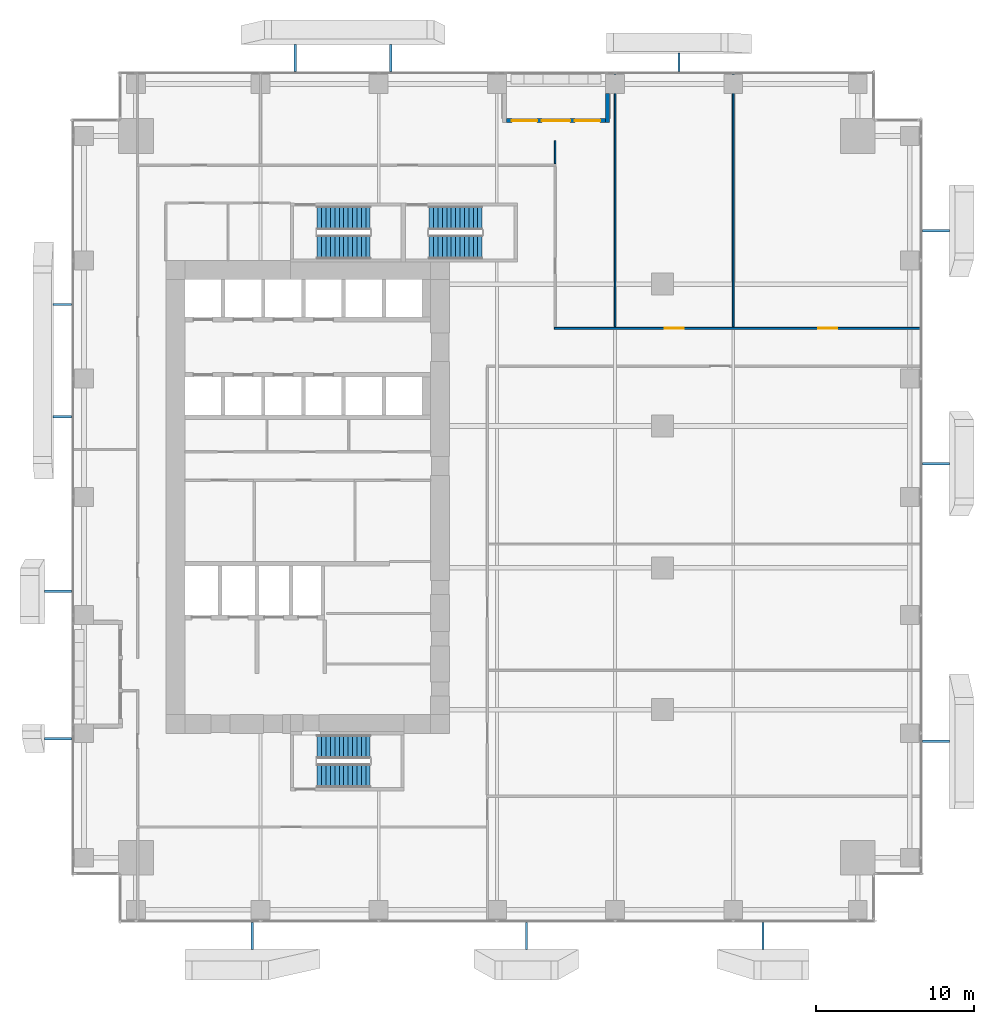
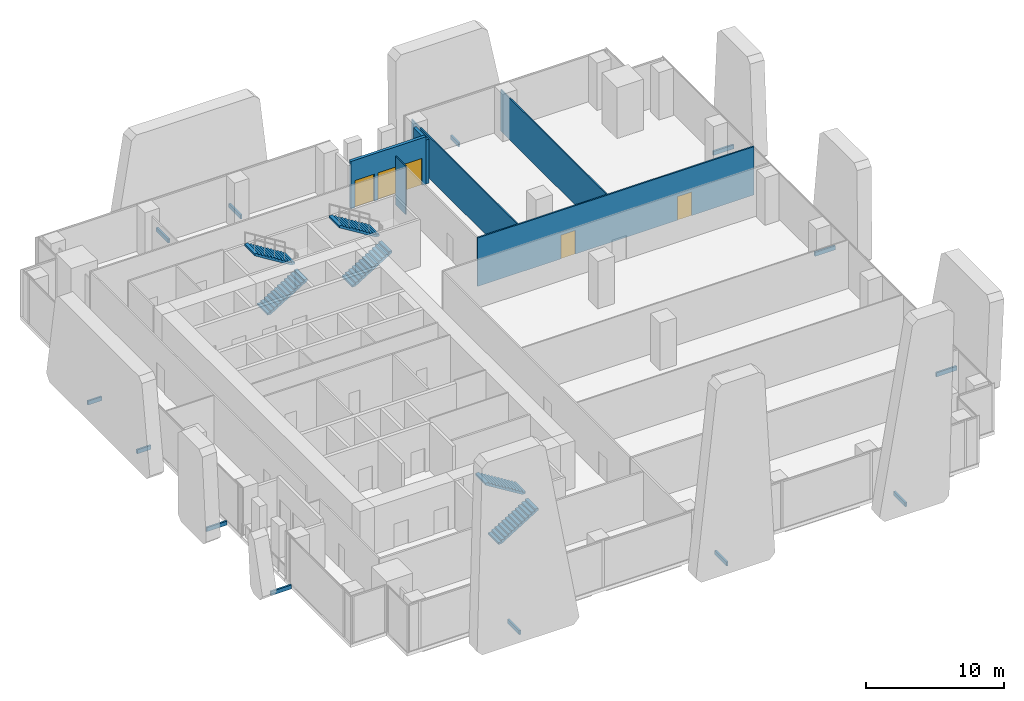
# One storey, part 30 of 34: 13 discrete accessories, 6 stair flights, 6 walls, 3 doors, 2 windows, 5 openings, 3 elements without a shape of their own.
"""IFC4 building model written with IfcOpenShell, lengths in metres."""

from ifc_helpers import new_model, si_unit, direction, frame, frame_2d, origin, origin_2d, place, context, subcontext, project, spatial, polyline, rectangle, outline, extrude, source, transform, mapped, material, layer, layer_set, type_object, element, fill, aggregate, save


model = new_model("IFC4")

# Units and contexts
model_context = context("Model", 3, precision=1e-05, world=origin(), true_north=direction((0.0, 1.0)))
body_context = subcontext(model_context, "Body", "Model", "MODEL_VIEW")
ifc_project = project(units=[si_unit("LENGTHUNIT", "METRE"), si_unit("AREAUNIT", "SQUARE_METRE"), si_unit("VOLUMEUNIT", "CUBIC_METRE"), si_unit("PLANEANGLEUNIT", "RADIAN"), si_unit("MASSUNIT", "GRAM", prefix="KILO")], contexts=[model_context])

# Site, building, storey
site_placement = place(None, origin())
site = spatial("IfcSite", under=ifc_project, at=site_placement, CompositionType="ELEMENT")
building_placement = place(site_placement, origin())
building = spatial("IfcBuilding", under=site, at=building_placement, Name="Khomas Fold Tower", CompositionType="ELEMENT")
storey_placement = place(building_placement, frame((0.0, 0.0, 51.0)))
storey = spatial("IfcBuildingStorey", under=building, at=storey_placement, Name="L10", CompositionType="ELEMENT", Elevation=51.0)

# Wall
ifc_material_1 = material(Name="Natural stone", Category="masonry")
ifc_layer_1 = layer(ifc_material_1, 0.0400390625)
ifc_material_2 = material(Name="Mineral wool insulation", Category="insulation")
ifc_layer_2 = layer(ifc_material_2, 0.10009765625)
ifc_material_3 = material(Name="Masonry", Category="masonry")
ifc_layer_3 = layer(ifc_material_3, 0.110107421875)
ifc_layer_set_1 = layer_set([ifc_layer_1, ifc_layer_2, ifc_layer_3], Name="Stone-faced insulated masonry")
wall_type_1 = type_object("IfcWallType", Name="BL-Balcony wall", PredefinedType="SOLIDWALL", material=ifc_layer_set_1)
shared_shape_1 = source(origin(), body_context, "Body", "SweptSolid", [
    extrude(rectangle(XDim=1.85009765625, YDim=0.25, at=frame_2d((0.925048828125, 0.0))), origin(), (0.0, 0.0, 1.0), 3.89990234375),
])
wall_1_placement = place(storey_placement, frame((34.02490234375, 52.60009765625, 0.0), z_axis=(0.0, 0.0, 1.0), x_axis=(0.0, -1.0, 0.0)))
element("IfcWall", 1, at=wall_1_placement, inside=storey, type_object=wall_type_1, Name="Balcony return wall BAL-L10-N3-hi", PredefinedType="SOLIDWALL", context=body_context, shape_type="MappedRepresentation", body=[
    mapped(shared_shape_1, transform((0.0, 0.0, 0.0))),
])

# Wall, openings, windows, door
shared_shape_2 = source(origin(), body_context, "Body", "SweptSolid", [
    extrude(rectangle(XDim=6.2998046875, YDim=0.25, at=frame_2d((3.14990234375, 0.0))), origin(), (0.0, 0.0, 1.0), 4.199951171875),
])
wall_2_placement = place(storey_placement, frame((27.60009765625, 50.875, 0.0), z_axis=(0.0, 0.0, 1.0), x_axis=(1.0, 0.0, 0.0)))
wall_2 = element("IfcWall", 2, at=wall_2_placement, inside=storey, type_object=wall_type_1, Name="Balcony wall BAL-L10-N3", PredefinedType="SOLIDWALL", context=body_context, shape_type="MappedRepresentation", body=[
    mapped(shared_shape_2, transform((0.0, 0.0, 0.0))),
])
shared_shape_3 = source(origin(), body_context, "Body", "SweptSolid", [
    extrude(rectangle(XDim=1.60009765625, YDim=2.39990234375, at=frame_2d((0.800048828125, 1.199951171875))), frame((0.0, 0.135009765625, 0.0), z_axis=(0.0, -1.0, 0.0), x_axis=(1.0, 0.0, 0.0)), (0.0, 0.0, 1.0), 0.27001953125),
])
opening_1_placement = place(wall_2_placement, frame((0.35009765625, 0.0, 0.0)))
opening_1 = element("IfcOpeningElement", 3, at=opening_1_placement, cuts=wall_2, Name="Opening BL-W1", PredefinedType="OPENING", context=body_context, shape_type="MappedRepresentation", body=[
    mapped(shared_shape_3, transform((0.0, 0.0, 0.0))),
])
opening_2_placement = place(wall_2_placement, frame((4.35009765625, 0.0, 0.0)))
opening_2 = element("IfcOpeningElement", 4, at=opening_2_placement, cuts=wall_2, Name="Opening BL-W1", PredefinedType="OPENING", context=body_context, shape_type="MappedRepresentation", body=[
    mapped(shared_shape_3, transform((0.0, 0.0, 0.0))),
])
shared_shape_4 = source(origin(), body_context, "Body", "SweptSolid", [
    extrude(rectangle(XDim=1.800048828125, YDim=2.39990234375, at=frame_2d((0.89990234375, 1.199951171875))), frame((0.0, 0.135009765625, 0.0), z_axis=(0.0, -1.0, 0.0), x_axis=(1.0, 0.0, 0.0)), (0.0, 0.0, 1.0), 0.27001953125),
])
opening_3_placement = place(wall_2_placement, frame((2.25, 0.0, 0.0)))
opening_3 = element("IfcOpeningElement", 5, at=opening_3_placement, cuts=wall_2, Name="Opening BD101", PredefinedType="OPENING", context=body_context, shape_type="MappedRepresentation", body=[
    mapped(shared_shape_4, transform((0.0, 0.0, 0.0))),
])
ifc_material_4 = material(Name="Aluminium framed double glazing", Category="aluminium")
window_type = type_object("IfcWindowType", Name="BL-Fixed glazing 1600 x 2400", PartitioningType="SINGLE_PANEL", PredefinedType="WINDOW", material=ifc_material_4)
shared_shape_5 = source(origin(), body_context, "Body", "SweptSolid", [
    extrude(rectangle(XDim=1.60009765625, YDim=2.39990234375, at=frame_2d((0.800048828125, 1.199951171875))), frame((0.0, 0.030029296875, 0.0), z_axis=(0.0, -1.0, 0.0), x_axis=(1.0, 0.0, 0.0)), (0.0, 0.0, 1.0), 0.06005859375),
])
window_1_placement = place(opening_1_placement, origin())
window_1 = element("IfcWindow", 6, at=window_1_placement, inside=storey, type_object=window_type, Name="Balcony glazing BAL-L10-N3-1", OverallHeight=2.39990234375, OverallWidth=1.60009765625, PartitioningType="SINGLE_PANEL", PredefinedType="WINDOW", context=body_context, shape_type="MappedRepresentation", body=[
    mapped(shared_shape_5, transform((0.0, 0.0, 0.0))),
])
fill(opening_1, window_1)
window_2_placement = place(opening_2_placement, origin())
window_2 = element("IfcWindow", 7, at=window_2_placement, inside=storey, type_object=window_type, Name="Balcony glazing BAL-L10-N3-2", OverallHeight=2.39990234375, OverallWidth=1.60009765625, PartitioningType="SINGLE_PANEL", PredefinedType="WINDOW", context=body_context, shape_type="MappedRepresentation", body=[
    mapped(shared_shape_5, transform((0.0, 0.0, 0.0))),
])
fill(opening_2, window_2)
ifc_material_5 = material(Name="Aluminium framed double glazing", Category="aluminium")
door_type_1 = type_object("IfcDoorType", Name="BL-Glazed balcony door 1800 x 2400", OperationType="DOUBLE_DOOR_DOUBLE_SWING", PredefinedType="DOOR", material=ifc_material_5)
shared_shape_6 = source(origin(), body_context, "Body", "SweptSolid", [
    extrude(rectangle(XDim=1.800048828125, YDim=2.39990234375, at=frame_2d((0.89990234375, 1.199951171875))), frame((0.0, 0.02490234375, 0.0), z_axis=(0.0, -1.0, 0.0), x_axis=(1.0, 0.0, 0.0)), (0.0, 0.0, 1.0), 0.050048828125),
])
door_1_placement = place(opening_3_placement, origin())
door_1 = element("IfcDoor", 8, at=door_1_placement, inside=storey, type_object=door_type_1, Name="Balcony door BD101", OperationType="DOUBLE_DOOR_DOUBLE_SWING", OverallHeight=2.39990234375, OverallWidth=1.800048828125, PredefinedType="DOOR", context=body_context, shape_type="MappedRepresentation", body=[
    mapped(shared_shape_6, transform((0.0, 0.0, 0.0))),
])
fill(opening_3, door_1)

# Wall, openings, doors
ifc_material_6 = material(Name="Plasterboard partition")
ifc_layer_4 = layer(ifc_material_6, 0.125)
ifc_layer_set_2 = layer_set([ifc_layer_4], Name="Plasterboard partition")
wall_type_2 = type_object("IfcWallType", Name="Partition PW2 125", PredefinedType="PARTITIONING", material=ifc_layer_set_2)
shared_shape_7 = source(origin(), body_context, "Body", "SweptSolid", [
    extrude(rectangle(XDim=23.2001953125, YDim=0.125, at=frame_2d((11.60009765625, 0.0))), origin(), (0.0, 0.0, 1.0), 4.300048828125),
])
wall_3_placement = place(storey_placement, frame((30.64990234375, 37.699951171875, 0.0), z_axis=(0.0, 0.0, 1.0), x_axis=(1.0, 0.0, 0.0)))
wall_3 = element("IfcWall", 9, at=wall_3_placement, inside=storey, type_object=wall_type_2, Name="Partition", PredefinedType="PARTITIONING", context=body_context, shape_type="MappedRepresentation", body=[
    mapped(shared_shape_7, transform((0.0, 0.0, 0.0))),
])
shared_shape_8 = source(origin(), body_context, "Body", "SweptSolid", [
    extrude(rectangle(XDim=1.199951171875, YDim=2.10009765625, at=frame_2d((0.60009765625, 1.050048828125))), frame((0.0, 0.072509765625, 0.0), z_axis=(0.0, -1.0, 0.0), x_axis=(1.0, 0.0, 0.0)), (0.0, 0.0, 1.0), 0.14501953125),
])
opening_4_placement = place(wall_3_placement, frame((7.0, 0.0, 0.0)))
opening_4 = element("IfcOpeningElement", 10, at=opening_4_placement, cuts=wall_3, Name="Opening 0001", PredefinedType="OPENING", context=body_context, shape_type="MappedRepresentation", body=[
    mapped(shared_shape_8, transform((0.0, 0.0, 0.0))),
])
opening_5_placement = place(wall_3_placement, frame((16.75, 0.0, 0.0)))
opening_5 = element("IfcOpeningElement", 11, at=opening_5_placement, cuts=wall_3, Name="Opening 0013", PredefinedType="OPENING", context=body_context, shape_type="MappedRepresentation", body=[
    mapped(shared_shape_8, transform((0.0, 0.0, 0.0))),
])
ifc_material_7 = material(Name="Timber door leaf", Category="wood")
door_type_2 = type_object("IfcDoorType", Name="Door 1200x2100 right-hand", OperationType="SINGLE_SWING_RIGHT", PredefinedType="DOOR", material=ifc_material_7)
shared_shape_9 = source(origin(), body_context, "Body", "SweptSolid", [
    extrude(rectangle(XDim=1.199951171875, YDim=2.10009765625, at=frame_2d((0.60009765625, 1.050048828125))), frame((0.0, 0.02490234375, 0.0), z_axis=(0.0, -1.0, 0.0), x_axis=(1.0, 0.0, 0.0)), (0.0, 0.0, 1.0), 0.050048828125),
])
door_2_placement = place(opening_4_placement, origin())
door_2 = element("IfcDoor", 12, at=door_2_placement, inside=storey, type_object=door_type_2, Name="Door", OperationType="SINGLE_SWING_RIGHT", OverallHeight=2.10009765625, OverallWidth=1.199951171875, PredefinedType="DOOR", context=body_context, shape_type="MappedRepresentation", body=[
    mapped(shared_shape_9, transform((0.0, 0.0, 0.0))),
])
fill(opening_4, door_2)
ifc_material_8 = material(Name="Timber door leaf", Category="wood")
door_type_3 = type_object("IfcDoorType", Name="Door 1200x2100 left-hand", OperationType="SINGLE_SWING_LEFT", PredefinedType="DOOR", material=ifc_material_8)
door_3_placement = place(opening_5_placement, origin())
door_3 = element("IfcDoor", 13, at=door_3_placement, inside=storey, type_object=door_type_3, Name="Door", OperationType="SINGLE_SWING_LEFT", OverallHeight=2.10009765625, OverallWidth=1.199951171875, PredefinedType="DOOR", context=body_context, shape_type="MappedRepresentation", body=[
    mapped(shared_shape_9, transform((0.0, 0.0, 0.0))),
])
fill(opening_5, door_3)

# Walls
ifc_material_9 = material(Name="Plasterboard partition")
ifc_layer_5 = layer(ifc_material_9, 0.10009765625)
ifc_layer_set_3 = layer_set([ifc_layer_5], Name="Plasterboard partition")
wall_type_3 = type_object("IfcWallType", Name="Partition PW1 100", PredefinedType="PARTITIONING", material=ifc_layer_set_3)
shared_shape_10 = source(origin(), body_context, "Body", "SweptSolid", [
    extrude(rectangle(XDim=16.050048828125, YDim=0.10009765625, at=frame_2d((8.02490234375, 0.0))), origin(), (0.0, 0.0, 1.0), 3.699951171875),
])
for number, where, z_axis, x_axis, name in (
    (14, (34.5, 37.800048828125, 0.0), (0.0, 0.0, 1.0), (0.0, 1.0, 0.0), "Partition"),
    (15, (42.0, 37.800048828125, 0.0), (0.0, 0.0, 1.0), (0.0, 1.0, 0.0), "Partition"),
):
    element("IfcWall", number, at=place(storey_placement, frame(where, z_axis=z_axis, x_axis=x_axis)), inside=storey, type_object=wall_type_3, Name=name, PredefinedType="PARTITIONING", context=body_context, shape_type="MappedRepresentation", body=[
        mapped(shared_shape_10, transform((0.0, 0.0, 0.0))),
    ])
shared_shape_11 = source(origin(), body_context, "Body", "SweptSolid", [
    extrude(rectangle(XDim=1.4501953125, YDim=0.10009765625, at=frame_2d((0.72509765625, 0.0))), origin(), (0.0, 0.0, 1.0), 4.300048828125),
])
wall_4_placement = place(storey_placement, frame((30.699951171875, 48.14990234375, 0.0), z_axis=(0.0, 0.0, 1.0), x_axis=(0.0, 1.0, 0.0)))
element("IfcWall", 16, at=wall_4_placement, inside=storey, type_object=wall_type_3, Name="Partition", PredefinedType="PARTITIONING", context=body_context, shape_type="MappedRepresentation", body=[
    mapped(shared_shape_11, transform((0.0, 0.0, 0.0))),
])

# Stair, stair flights
ifc_material_10 = material(Name="Concrete C40/50", Category="concrete")
stair_type_1 = type_object("IfcStairType", Name="Stair ST1", PredefinedType="HALF_TURN_STAIR", material=ifc_material_10)
stair_1_placement = place(storey_placement, origin())
stair_1 = element("IfcStair", 17, at=stair_1_placement, inside=storey, type_object=stair_type_1, Name="L10 ST1", PredefinedType="HALF_TURN_STAIR")
ifc_material_11 = material(Name="Concrete C40/50", Category="concrete")
stair_flight_type_1 = type_object("IfcStairFlightType", Name="Stair flight 1500 ST1", PredefinedType="STRAIGHT", material=ifc_material_11)
shared_shape_12 = source(origin(), body_context, "Body", "SweptSolid", [
    extrude(outline(polyline([(0.0, 0.0), (0.0, 0.013427734375), (0.0, 0.026611328125), (0.0, 0.0400390625), (0.0, 0.05322265625), (0.0, 0.066650390625), (0.0, 0.079833984375), (0.0, 0.09326171875), (0.0, 0.1064453125), (0.0, 0.119873046875), (0.0, 0.133056640625), (0.0, 0.146484375), (0.0, 0.15966796875), (0.0, 0.173095703125), (0.280029296875, 0.173095703125), (0.280029296875, 0.34619140625), (0.56005859375, 0.34619140625), (0.56005859375, 0.519287109375), (0.840087890625, 0.519287109375), (0.840087890625, 0.6923828125), (1.1201171875, 0.6923828125), (1.1201171875, 0.865478515625), (1.39990234375, 0.865478515625), (1.39990234375, 1.03857421875), (1.679931640625, 1.03857421875), (1.679931640625, 1.21142578125), (1.9599609375, 1.21142578125), (1.9599609375, 1.384521484375), (2.239990234375, 1.384521484375), (2.239990234375, 1.5576171875), (2.52001953125, 1.5576171875), (2.52001953125, 1.730712890625), (2.800048828125, 1.730712890625), (2.800048828125, 1.90380859375), (3.080078125, 1.90380859375), (3.080078125, 2.076904296875), (3.360107421875, 2.076904296875), (3.360107421875, 2.25), (3.360107421875, 2.22314453125), (3.360107421875, 2.1962890625), (3.360107421875, 2.16943359375), (3.360107421875, 2.142578125), (3.360107421875, 2.11572265625), (3.360107421875, 2.0888671875), (3.360107421875, 2.06201171875), (3.360107421875, 2.03515625), (3.360107421875, 2.008056640625), (3.360107421875, 1.981201171875), (3.360107421875, 1.954345703125), (3.360107421875, 1.927490234375), (3.360107421875, 1.900634765625), (0.28515625, 0.0), (0.0, 0.0)])), frame((0.0, 0.75, 0.0), z_axis=(0.0, -1.0, 0.0), x_axis=(1.0, 0.0, 0.0)), (0.0, 0.0, 1.0), 1.5),
])
stair_flight_1_placement = place(storey_placement, frame((15.60009765625, 42.85009765625, 0.0), z_axis=(0.0, 0.0, 1.0), x_axis=(1.0, 0.0, 0.0)))
stair_flight_1 = element("IfcStairFlight", 18, at=stair_flight_1_placement, type_object=stair_flight_type_1, Name="ST1 flight 1", NumberOfRisers=13, NumberOfTreads=12, PredefinedType="STRAIGHT", RiserHeight=0.173076923, TreadLength=0.28, context=body_context, shape_type="MappedRepresentation", body=[
    mapped(shared_shape_12, transform((0.0, 0.0, 0.0))),
])
stair_flight_2_placement = place(storey_placement, frame((18.9599609375, 44.699951171875, 2.25), z_axis=(0.0, 0.0, 1.0), x_axis=(-1.0, 0.0, 0.0)))
stair_flight_2 = element("IfcStairFlight", 19, at=stair_flight_2_placement, type_object=stair_flight_type_1, Name="ST1 flight 2", NumberOfRisers=13, NumberOfTreads=12, PredefinedType="STRAIGHT", RiserHeight=0.173076923, TreadLength=0.28, context=body_context, shape_type="MappedRepresentation", body=[
    mapped(shared_shape_12, transform((0.0, 0.0, 0.0))),
])
aggregate(stair_1, [stair_flight_1, stair_flight_2])

ifc_material_12 = material(Name="Concrete C40/50", Category="concrete")
stair_type_2 = type_object("IfcStairType", Name="Stair ST2", PredefinedType="HALF_TURN_STAIR", material=ifc_material_12)
stair_2_placement = place(storey_placement, origin())
stair_2 = element("IfcStair", 20, at=stair_2_placement, inside=storey, type_object=stair_type_2, Name="L10 ST2", PredefinedType="HALF_TURN_STAIR")
ifc_material_13 = material(Name="Concrete C40/50", Category="concrete")
stair_flight_type_2 = type_object("IfcStairFlightType", Name="Stair flight 1500 ST2", PredefinedType="STRAIGHT", material=ifc_material_13)
stair_flight_3_placement = place(storey_placement, frame((15.60009765625, 9.300048828125, 0.0), z_axis=(0.0, 0.0, 1.0), x_axis=(1.0, 0.0, 0.0)))
stair_flight_3 = element("IfcStairFlight", 21, at=stair_flight_3_placement, type_object=stair_flight_type_2, Name="ST2 flight 1", NumberOfRisers=13, NumberOfTreads=12, PredefinedType="STRAIGHT", RiserHeight=0.173076923, TreadLength=0.28, context=body_context, shape_type="MappedRepresentation", body=[
    mapped(shared_shape_12, transform((0.0, 0.0, 0.0))),
])
stair_flight_4_placement = place(storey_placement, frame((18.9599609375, 11.14990234375, 2.25), z_axis=(0.0, 0.0, 1.0), x_axis=(-1.0, 0.0, 0.0)))
stair_flight_4 = element("IfcStairFlight", 22, at=stair_flight_4_placement, type_object=stair_flight_type_2, Name="ST2 flight 2", NumberOfRisers=13, NumberOfTreads=12, PredefinedType="STRAIGHT", RiserHeight=0.173076923, TreadLength=0.28, context=body_context, shape_type="MappedRepresentation", body=[
    mapped(shared_shape_12, transform((0.0, 0.0, 0.0))),
])
aggregate(stair_2, [stair_flight_3, stair_flight_4])

ifc_material_14 = material(Name="Concrete C40/50", Category="concrete")
stair_type_3 = type_object("IfcStairType", Name="Stair ST3", PredefinedType="HALF_TURN_STAIR", material=ifc_material_14)
stair_3_placement = place(storey_placement, origin())
stair_3 = element("IfcStair", 23, at=stair_3_placement, inside=storey, type_object=stair_type_3, Name="L10 ST3", PredefinedType="HALF_TURN_STAIR")
ifc_material_15 = material(Name="Concrete C40/50", Category="concrete")
stair_flight_type_3 = type_object("IfcStairFlightType", Name="Stair flight 1500 ST3", PredefinedType="STRAIGHT", material=ifc_material_15)
stair_flight_5_placement = place(storey_placement, frame((22.699951171875, 42.85009765625, 0.0), z_axis=(0.0, 0.0, 1.0), x_axis=(1.0, 0.0, 0.0)))
stair_flight_5 = element("IfcStairFlight", 24, at=stair_flight_5_placement, type_object=stair_flight_type_3, Name="ST3 flight 1", NumberOfRisers=13, NumberOfTreads=12, PredefinedType="STRAIGHT", RiserHeight=0.173076923, TreadLength=0.28, context=body_context, shape_type="MappedRepresentation", body=[
    mapped(shared_shape_12, transform((0.0, 0.0, 0.0))),
])
stair_flight_6_placement = place(storey_placement, frame((26.06005859375, 44.699951171875, 2.25), z_axis=(0.0, 0.0, 1.0), x_axis=(-1.0, 0.0, 0.0)))
stair_flight_6 = element("IfcStairFlight", 25, at=stair_flight_6_placement, type_object=stair_flight_type_3, Name="ST3 flight 2", NumberOfRisers=13, NumberOfTreads=12, PredefinedType="STRAIGHT", RiserHeight=0.173076923, TreadLength=0.28, context=body_context, shape_type="MappedRepresentation", body=[
    mapped(shared_shape_12, transform((0.0, 0.0, 0.0))),
])
aggregate(stair_3, [stair_flight_5, stair_flight_6])

# Discrete accessories
ifc_material_16 = material(Name="Stainless steel", Category="steel")
discrete_accessory_type = type_object("IfcDiscreteAccessoryType", Name="SK-Stainless steel stone bracket", PredefinedType="BRACKET", material=ifc_material_16)
shared_shape_13 = source(origin(), body_context, "Body", "SweptSolid", [
    extrude(rectangle(XDim=1.714599609375, YDim=0.14990234375, at=origin_2d()), origin(), (0.0, 0.0, 1.0), 0.360107421875),
])
for number, where, z_axis, x_axis, name in (
    (26, (11.48388671875, -0.857421875, -0.30029296875), (0.0, 0.0, 1.0), (0.0, -1.0, 0.0), "Stone bracket L10 SS03-1-1"),
    (27, (28.877685546875, -0.857421875, -0.30029296875), (0.0, 0.0, 1.0), (0.0, -1.0, 0.0), "Stone bracket L10 SS06-2-1"),
    (28, (43.8818359375, -0.857421875, -0.30029296875), (0.0, 0.0, 1.0), (0.0, -1.0, 0.0), "Stone bracket L10 SS09-3-1"),
    (29, (54.857421875, 11.48388671875, -0.30029296875), (0.0, 0.0, 1.0), (1.0, 0.0, 0.0), "Stone bracket L10 ES03-1-1"),
    (30, (54.857421875, 29.11083984375, -0.30029296875), (0.0, 0.0, 1.0), (1.0, 0.0, 0.0), "Stone bracket L10 ES06-2-1"),
    (31, (54.857421875, 43.8818359375, -0.30029296875), (0.0, 0.0, 1.0), (1.0, 0.0, 0.0), "Stone bracket L10 ES09-3-1"),
    (32, (14.19482421875, 54.857421875, -0.30029296875), (0.0, 0.0, 1.0), (0.0, 1.0, 0.0), "Stone bracket L10 NS05-1-1"),
    (33, (20.274169921875, 54.857421875, -0.30029296875), (0.0, 0.0, 1.0), (0.0, 1.0, 0.0), "Stone bracket L10 NS05-1-2"),
    (34, (-0.857421875, 21.00927734375, -0.30029296875), (0.0, 0.0, 1.0), (-1.0, 0.0, 0.0), "Stone bracket L10 WS05-1-1"),
    (35, (-0.857421875, 11.66259765625, -0.30029296875), (0.0, 0.0, 1.0), (-1.0, 0.0, 0.0), "Stone bracket L10 WS05-2-1"),
):
    element("IfcDiscreteAccessory", number, at=place(storey_placement, frame(where, z_axis=z_axis, x_axis=x_axis)), inside=storey, type_object=discrete_accessory_type, Name=name, PredefinedType="BRACKET", context=body_context, shape_type="MappedRepresentation", body=[
        mapped(shared_shape_13, transform((0.0, 0.0, 0.0))),
    ])
shared_shape_14 = source(origin(), body_context, "Body", "SweptSolid", [
    extrude(rectangle(XDim=1.161865234375, YDim=0.14990234375, at=origin_2d()), origin(), (0.0, 0.0, 1.0), 0.360107421875),
])
for number, where, z_axis, x_axis, name in (
    (36, (38.552490234375, 54.5810546875, -0.30029296875), (0.0, 0.0, 1.0), (0.0, 1.0, 0.0), "Stone bracket L10 NS08-2-1"),
    (37, (-0.5810546875, 32.07421875, -0.30029296875), (0.0, 0.0, 1.0), (-1.0, 0.0, 0.0), "Stone bracket L10 WS08-3-1"),
    (38, (-0.5810546875, 39.2080078125, -0.30029296875), (0.0, 0.0, 1.0), (-1.0, 0.0, 0.0), "Stone bracket L10 WS08-3-2"),
):
    element("IfcDiscreteAccessory", number, at=place(storey_placement, frame(where, z_axis=z_axis, x_axis=x_axis)), inside=storey, type_object=discrete_accessory_type, Name=name, PredefinedType="BRACKET", context=body_context, shape_type="MappedRepresentation", body=[
        mapped(shared_shape_14, transform((0.0, 0.0, 0.0))),
    ])

save(model, "model.ifc")
